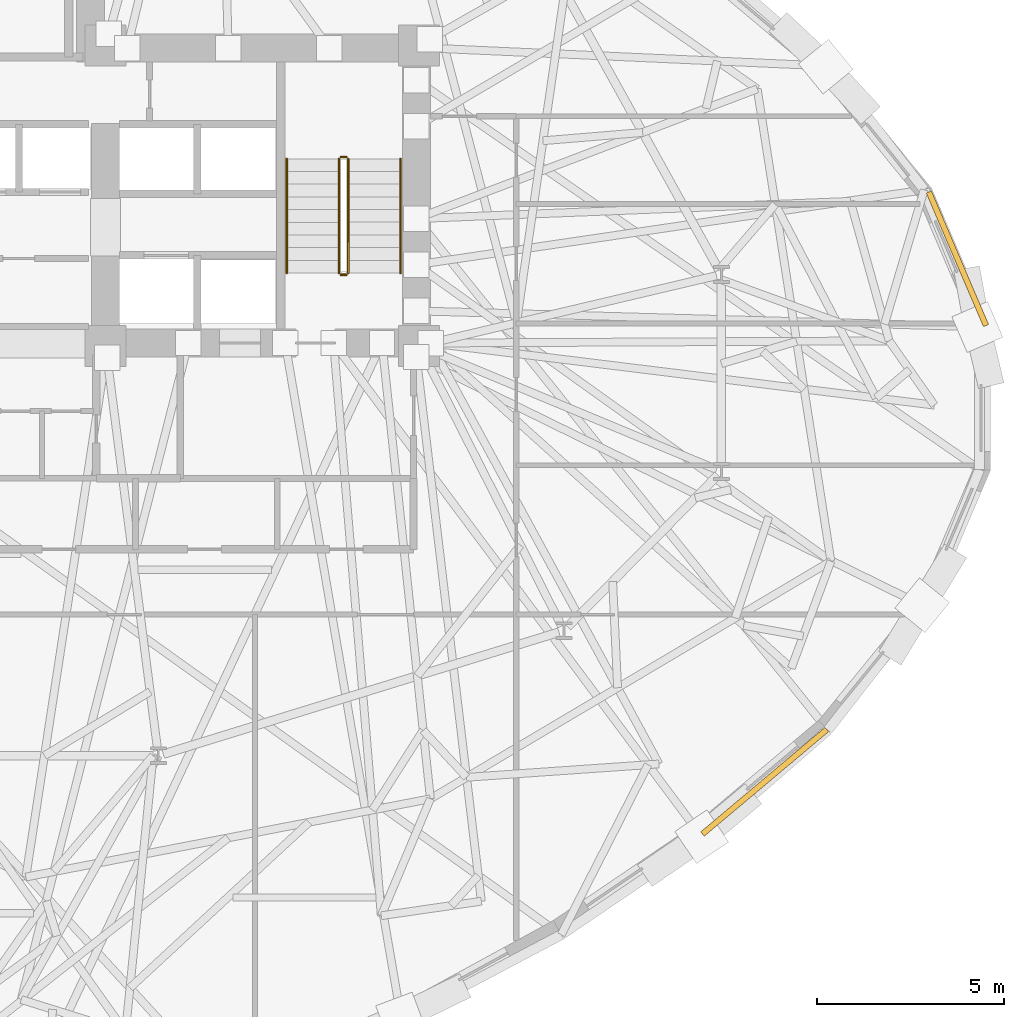
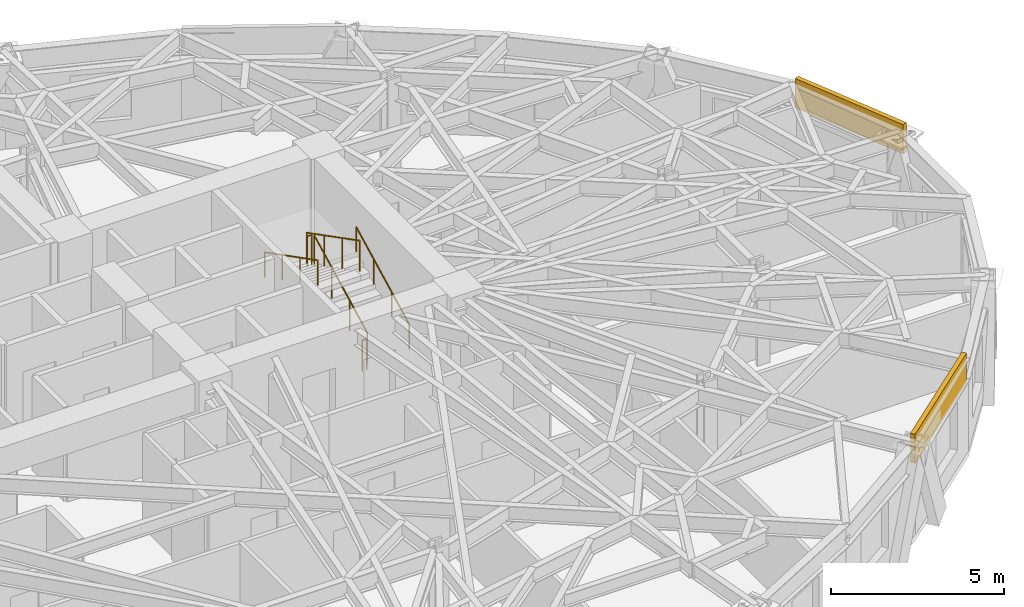
# One storey, part 13 of 14: 6 railings, 2 coverings.
"""IFC4 building model written with IfcOpenShell, lengths in metres."""

from ifc_helpers import new_model, si_unit, direction, frame, origin, origin_2d, place, context, subcontext, project, spatial, rectangle, circle, extrude, material, layer, layer_set, type_object, element, save


model = new_model("IFC4")

# Units and contexts
model_context = context("Model", 3, precision=1e-05, world=origin(), true_north=direction((0.0, 1.0)))
body_context = subcontext(model_context, "Body", "Model", "MODEL_VIEW")
ifc_project = project(units=[si_unit("LENGTHUNIT", "METRE"), si_unit("AREAUNIT", "SQUARE_METRE"), si_unit("VOLUMEUNIT", "CUBIC_METRE"), si_unit("PLANEANGLEUNIT", "RADIAN"), si_unit("MASSUNIT", "GRAM", prefix="KILO")], contexts=[model_context])

# Site, building, storey
site_placement = place(None, origin())
site = spatial("IfcSite", under=ifc_project, at=site_placement, CompositionType="ELEMENT")
building_placement = place(site_placement, origin())
building = spatial("IfcBuilding", under=site, at=building_placement, Name="Keldmark Tower", CompositionType="ELEMENT")
storey_placement = place(building_placement, frame((0.0, 0.0, 89.60009765625)))
storey = spatial("IfcBuildingStorey", under=building, at=storey_placement, Name="L23", CompositionType="ELEMENT", Elevation=89.60009765625)

# Coverings
ifc_material_1 = material(Name="Honed Kasota Buff Dolomitic Limestone", Category="masonry")
ifc_layer = layer(ifc_material_1, 0.074951171875)
ifc_layer_set = layer_set([ifc_layer], Name="Honed Kasota Buff Dolomitic Limestone")
covering_type = type_object("IfcCoveringType", Name="Kasota Buff Limestone Spandrel Cladding Band", PredefinedType="CLADDING", material=ifc_layer_set)
covering_1_placement = place(storey_placement, frame((28.018310546875, 3.7314453125, 2.45166015625), z_axis=(0.0, 0.0, 1.0), x_axis=(-0.393717310702, 0.919231569983, 0.0)))
element("IfcCovering", 1, at=covering_1_placement, inside=storey, type_object=covering_type, Name="L23 Kasota Limestone Spandrel Band 01", PredefinedType="CLADDING", context=body_context, shape_type="SweptSolid", body=[
    extrude(rectangle(XDim=3.8935546875, YDim=0.14990234375, at=origin_2d()), origin(), (0.0, 0.0, 1.0), 1.028076171875),
])
covering_2_placement = place(storey_placement, frame((22.853515625, -10.279052734375, 2.45166015625), z_axis=(0.0, 0.0, 1.0), x_axis=(0.765550591836, 0.643375699991, 0.0)))
element("IfcCovering", 2, at=covering_2_placement, inside=storey, type_object=covering_type, Name="L23 Kasota Limestone Spandrel Band 29", PredefinedType="CLADDING", context=body_context, shape_type="SweptSolid", body=[
    extrude(rectangle(XDim=4.34912109375, YDim=0.14990234375, at=origin_2d()), origin(), (0.0, 0.0, 1.0), 1.028076171875),
])

# Railings
ifc_material_2 = material(Name="Painted Steel ASTM A500 Grade B", Category="steel")
railing_type_1 = type_object("IfcRailingType", Name="Painted Steel Stair Well Guard 1100 mm", PredefinedType="GUARDRAIL", material=ifc_material_2)
railing_1_placement = place(storey_placement, frame((11.699951171875, 3.35009765625, 0.1748046875)))
element("IfcRailing", 3, at=railing_1_placement, inside=storey, type_object=railing_type_1, Name="L23 ST2 stair guard 1", PredefinedType="GUARDRAIL", context=body_context, shape_type="SweptSolid", body=[
    extrude(circle(Radius=0.02392578125, at=origin_2d()), frame((0.0, 0.0, 1.076171875), z_axis=(0.0, 0.889101422983, 0.457710235465), x_axis=(-1.0, 0.0, 0.0)), (0.0, 0.0, 1.0), 3.44140625),
    extrude(circle(Radius=0.02099609375, at=origin_2d()), origin(), (0.0, 0.0, 1.0), 1.052001953125),
    extrude(circle(Radius=0.02099609375, at=origin_2d()), frame((0.0, 1.02001953125, 0.525146484375)), (0.0, 0.0, 1.0), 1.052001953125),
    extrude(circle(Radius=0.02099609375, at=origin_2d()), frame((0.0, 2.039794921875, 1.050048828125)), (0.0, 0.0, 1.0), 1.052001953125),
    extrude(circle(Radius=0.02099609375, at=origin_2d()), frame((0.0, 3.059814453125, 1.5751953125)), (0.0, 0.0, 1.0), 1.052001953125),
])
railing_2_placement = place(storey_placement, frame((11.64990234375, 6.4599609375, 1.75)))
element("IfcRailing", 4, at=railing_2_placement, inside=storey, type_object=railing_type_1, Name="L23 ST2 stair guard 2", PredefinedType="GUARDRAIL", context=body_context, shape_type="SweptSolid", body=[
    extrude(circle(Radius=0.02392578125, at=origin_2d()), frame((0.0, 0.0, 1.076171875), z_axis=(-1.0, 0.0, 0.0), x_axis=(0.0, -1.0, 0.0)), (0.0, 0.0, 1.0), 0.14990234375),
    extrude(circle(Radius=0.02099609375, at=origin_2d()), origin(), (0.0, 0.0, 1.0), 1.052001953125),
    extrude(circle(Radius=0.02099609375, at=origin_2d()), frame((-0.14990234375, 0.0, 0.0)), (0.0, 0.0, 1.0), 1.052001953125),
])
railing_3_placement = place(storey_placement, frame((11.449951171875, 6.409912109375, 1.9248046875)))
element("IfcRailing", 5, at=railing_3_placement, inside=storey, type_object=railing_type_1, Name="L23 ST2 stair guard 3", PredefinedType="GUARDRAIL", context=body_context, shape_type="SweptSolid", body=[
    extrude(circle(Radius=0.02392578125, at=origin_2d()), frame((0.0, 0.0, 1.076171875), z_axis=(0.0, -0.889101422983, 0.457710235465), x_axis=(1.0, 0.0, 0.0)), (0.0, 0.0, 1.0), 3.44140625),
    extrude(circle(Radius=0.02099609375, at=origin_2d()), origin(), (0.0, 0.0, 1.0), 1.052001953125),
    extrude(circle(Radius=0.02099609375, at=origin_2d()), frame((0.0, -1.02001953125, 0.525146484375)), (0.0, 0.0, 1.0), 1.052001953125),
    extrude(circle(Radius=0.02099609375, at=origin_2d()), frame((0.0, -2.039794921875, 1.050048828125)), (0.0, 0.0, 1.0), 1.052001953125),
    extrude(circle(Radius=0.02099609375, at=origin_2d()), frame((0.0, -3.059814453125, 1.5751953125)), (0.0, 0.0, 1.0), 1.052001953125),
])
railing_4_placement = place(storey_placement, frame((11.64990234375, 3.300048828125, 0.0)))
element("IfcRailing", 6, at=railing_4_placement, inside=storey, type_object=railing_type_1, Name="L23 ST2 stair guard 4", PredefinedType="GUARDRAIL", context=body_context, shape_type="SweptSolid", body=[
    extrude(circle(Radius=0.02392578125, at=origin_2d()), frame((0.0, 0.0, 1.076171875), z_axis=(-1.0, 0.0, 0.0), x_axis=(0.0, -1.0, 0.0)), (0.0, 0.0, 1.0), 0.14990234375),
    extrude(circle(Radius=0.02099609375, at=origin_2d()), origin(), (0.0, 0.0, 1.0), 1.052001953125),
    extrude(circle(Radius=0.02099609375, at=origin_2d()), frame((-0.14990234375, 0.0, 0.0)), (0.0, 0.0, 1.0), 1.052001953125),
])
ifc_material_3 = material(Name="Stainless Steel AISI 316L", Category="steel")
railing_type_2 = type_object("IfcRailingType", Name="Stainless Steel Stair Handrail 900 mm", PredefinedType="HANDRAIL", material=ifc_material_3)
railing_5_placement = place(storey_placement, frame((13.10009765625, 3.35009765625, 0.1748046875)))
element("IfcRailing", 7, at=railing_5_placement, inside=storey, type_object=railing_type_2, Name="L23 ST2 stair handrail 1", PredefinedType="HANDRAIL", context=body_context, shape_type="SweptSolid", body=[
    extrude(circle(Radius=0.02392578125, at=origin_2d()), frame((0.0, 0.0, 0.8759765625), z_axis=(0.0, 0.889101422983, 0.457710235465), x_axis=(-1.0, 0.0, 0.0)), (0.0, 0.0, 1.0), 3.44140625),
    extrude(circle(Radius=0.02099609375, at=origin_2d()), origin(), (0.0, 0.0, 1.0), 0.851806640625),
    extrude(circle(Radius=0.02099609375, at=origin_2d()), frame((0.0, 1.02001953125, 0.525146484375)), (0.0, 0.0, 1.0), 0.851806640625),
    extrude(circle(Radius=0.02099609375, at=origin_2d()), frame((0.0, 2.039794921875, 1.050048828125)), (0.0, 0.0, 1.0), 0.851806640625),
    extrude(circle(Radius=0.02099609375, at=origin_2d()), frame((0.0, 3.059814453125, 1.5751953125)), (0.0, 0.0, 1.0), 0.851806640625),
])
railing_6_placement = place(storey_placement, frame((10.050048828125, 6.409912109375, 1.9248046875)))
element("IfcRailing", 8, at=railing_6_placement, inside=storey, type_object=railing_type_2, Name="L23 ST2 stair handrail 2", PredefinedType="HANDRAIL", context=body_context, shape_type="SweptSolid", body=[
    extrude(circle(Radius=0.02392578125, at=origin_2d()), frame((0.0, 0.0, 0.8759765625), z_axis=(0.0, -0.889101422983, 0.457710235465), x_axis=(1.0, 0.0, 0.0)), (0.0, 0.0, 1.0), 3.44140625),
    extrude(circle(Radius=0.02099609375, at=origin_2d()), origin(), (0.0, 0.0, 1.0), 0.851806640625),
    extrude(circle(Radius=0.02099609375, at=origin_2d()), frame((0.0, -1.02001953125, 0.525146484375)), (0.0, 0.0, 1.0), 0.851806640625),
    extrude(circle(Radius=0.02099609375, at=origin_2d()), frame((0.0, -2.039794921875, 1.050048828125)), (0.0, 0.0, 1.0), 0.851806640625),
    extrude(circle(Radius=0.02099609375, at=origin_2d()), frame((0.0, -3.059814453125, 1.5751953125)), (0.0, 0.0, 1.0), 0.851806640625),
])

save(model, "model.ifc")
